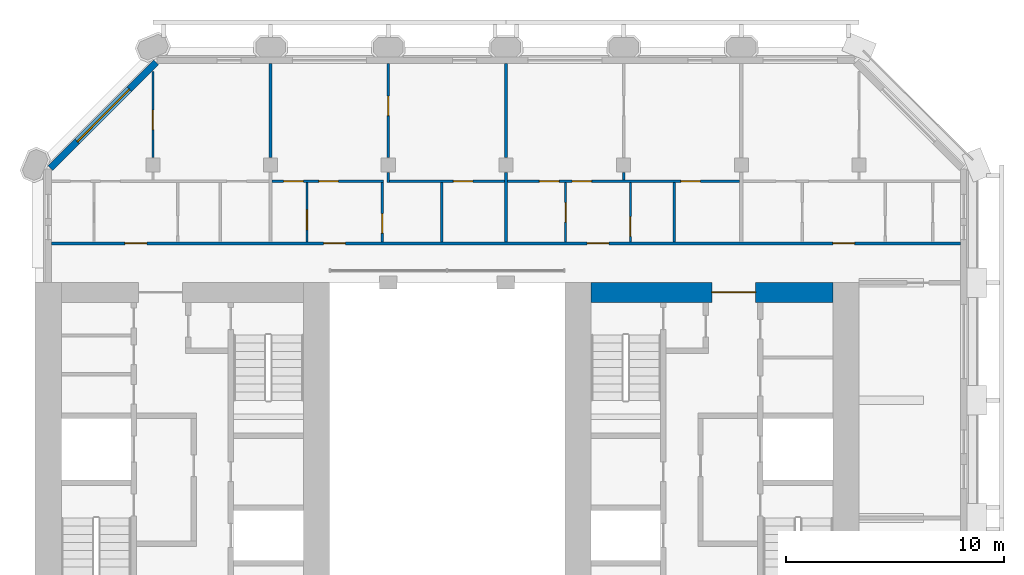
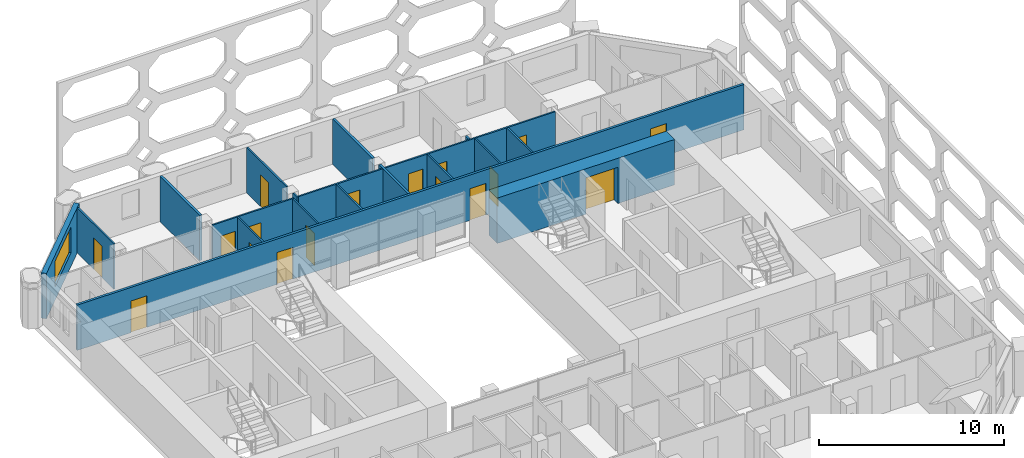
# One storey, part 10 of 15: 19 walls, 17 doors, 1 window, 18 openings.
"""IFC4 building model written with IfcOpenShell, lengths in metres."""

from ifc_helpers import new_model, si_unit, direction, frame, frame_2d, origin, place, context, subcontext, project, spatial, rectangle, extrude, material, layer, layer_set, type_object, element, fill, save


model = new_model("IFC4")

# Units and contexts
model_context = context("Model", 3, precision=1e-05, world=origin(), true_north=direction((0.0, 1.0)))
body_context = subcontext(model_context, "Body", "Model", "MODEL_VIEW")
ifc_project = project(units=[si_unit("LENGTHUNIT", "METRE"), si_unit("AREAUNIT", "SQUARE_METRE"), si_unit("VOLUMEUNIT", "CUBIC_METRE"), si_unit("PLANEANGLEUNIT", "RADIAN"), si_unit("MASSUNIT", "GRAM", prefix="KILO")], contexts=[model_context])

# Site, building, storey
site_placement = place(None, origin())
site = spatial("IfcSite", under=ifc_project, at=site_placement, CompositionType="ELEMENT")
building_placement = place(site_placement, origin())
building = spatial("IfcBuilding", under=site, at=building_placement, Name="Tabaq Tower and Sports Hall", CompositionType="ELEMENT")
storey_placement = place(building_placement, frame((0.0, 0.0, 278.5)))
storey = spatial("IfcBuildingStorey", under=building, at=storey_placement, Name="L68", CompositionType="ELEMENT", Elevation=278.5)

# Wall, opening, door
ifc_material_1 = material(Name="Concrete C40/50", Category="concrete")
ifc_layer_1 = layer(ifc_material_1, 0.89990234375)
ifc_layer_set_1 = layer_set([ifc_layer_1], Name="Core wall 900 Concrete C40/50")
wall_type_1 = type_object("IfcWallType", Name="Core wall 900 Concrete C40/50", PredefinedType="SOLIDWALL", material=ifc_layer_set_1)
wall_1_placement = place(storey_placement, frame((30.89990234375, 31.949951171875, 0.0), z_axis=(0.0, 0.0, 1.0), x_axis=(1.0, 0.0, 0.0)))
wall_1 = element("IfcWall", 1, at=wall_1_placement, inside=storey, type_object=wall_type_1, Name="Core wall E L68", PredefinedType="SOLIDWALL", context=body_context, shape_type="SweptSolid", body=[
    extrude(rectangle(XDim=11.10009765625, YDim=0.89990234375, at=frame_2d((5.550048828125, 0.0))), origin(), (0.0, 0.0, 1.0), 3.0),
])
opening_1_placement = place(wall_1_placement, frame((5.550048828125, 0.0, 0.0)))
opening_1 = element("IfcOpeningElement", 2, at=opening_1_placement, cuts=wall_1, Name="Opening PD-EL68-02", PredefinedType="OPENING", context=body_context, shape_type="SweptSolid", body=[
    extrude(rectangle(XDim=2.0, YDim=2.39990234375, at=frame_2d((1.0, 1.199951171875))), frame((0.0, 0.449951171875, 0.0), z_axis=(0.0, -1.0, 0.0), x_axis=(1.0, 0.0, 0.0)), (0.0, 0.0, 1.0), 0.89990234375),
])
ifc_material_2 = material(Name="Steel fire door", Category="steel")
door_type_1 = type_object("IfcDoorType", Name="Core entrance door 2000", OperationType="DOUBLE_DOOR_SINGLE_SWING", PredefinedType="DOOR", material=ifc_material_2)
door_1_placement = place(opening_1_placement, origin())
door_1 = element("IfcDoor", 3, at=door_1_placement, inside=storey, type_object=door_type_1, Name="Core entrance north E L68", OperationType="DOUBLE_DOOR_SINGLE_SWING", OverallHeight=2.39990234375, OverallWidth=2.0, PredefinedType="DOOR", context=body_context, shape_type="SweptSolid", body=[
    extrude(rectangle(XDim=2.0, YDim=2.39990234375, at=frame_2d((1.0, 1.199951171875))), frame((0.0, 0.02490234375, 0.0), z_axis=(0.0, -1.0, 0.0), x_axis=(1.0, 0.0, 0.0)), (0.0, 0.0, 1.0), 0.050048828125),
])
fill(opening_1, door_1)

ifc_material_3 = material(Name="Gypsum board on steel studs", Category="steel")
ifc_layer_2 = layer(ifc_material_3, 0.10009765625)
ifc_layer_set_2 = layer_set([ifc_layer_2], Name="Partition 100 Gypsum board")
wall_type_2 = type_object("IfcWallType", Name="Partition 100 Gypsum board", PredefinedType="PARTITIONING", material=ifc_layer_set_2)
wall_2_placement = place(storey_placement, frame((10.800048828125, 38.14501953125, 0.0), z_axis=(0.0, 0.0, 1.0), x_axis=(0.0, 1.0, 0.0)))
wall_2 = element("IfcWall", 4, at=wall_2_placement, inside=storey, type_object=wall_type_2, Name="Partition wall L68", PredefinedType="PARTITIONING", context=body_context, shape_type="SweptSolid", body=[
    extrude(rectangle(XDim=3.94287109375, YDim=0.10009765625, at=frame_2d((1.971435546875, 0.0))), origin(), (0.0, 0.0, 1.0), 3.0),
])
opening_2_placement = place(wall_2_placement, frame((1.273681640625, 0.0, 0.0)))
opening_2 = element("IfcOpeningElement", 5, at=opening_2_placement, cuts=wall_2, Name="Opening L68-024", PredefinedType="OPENING", context=body_context, shape_type="SweptSolid", body=[
    extrude(rectangle(XDim=0.89990234375, YDim=2.10009765625, at=frame_2d((0.449951171875, 1.050048828125))), frame((0.0, 0.050048828125, 0.0), z_axis=(0.0, -1.0, 0.0), x_axis=(1.0, 0.0, 0.0)), (0.0, 0.0, 1.0), 0.10009765625),
])
ifc_material_4 = material(Name="Timber leaf in steel frame", Category="steel")
door_type_2 = type_object("IfcDoorType", Name="Internal door 900 right hand", OperationType="SINGLE_SWING_RIGHT", PredefinedType="DOOR", material=ifc_material_4)
door_2_placement = place(opening_2_placement, origin())
door_2 = element("IfcDoor", 6, at=door_2_placement, inside=storey, type_object=door_type_2, Name="Internal door L68-024", OperationType="SINGLE_SWING_RIGHT", OverallHeight=2.10009765625, OverallWidth=0.89990234375, PredefinedType="DOOR", context=body_context, shape_type="SweptSolid", body=[
    extrude(rectangle(XDim=0.89990234375, YDim=2.10009765625, at=frame_2d((0.449951171875, 1.050048828125))), frame((0.0, 0.02490234375, 0.0), z_axis=(0.0, -1.0, 0.0), x_axis=(1.0, 0.0, 0.0)), (0.0, 0.0, 1.0), 0.050048828125),
])
fill(opening_2, door_2)

# Wall, openings, doors
wall_3_placement = place(storey_placement, frame((16.27490234375, 37.050048828125, 0.0), z_axis=(0.0, 0.0, 1.0), x_axis=(1.0, 0.0, 0.0)))
wall_3 = element("IfcWall", 7, at=wall_3_placement, inside=storey, type_object=wall_type_2, Name="Partition wall L68", PredefinedType="PARTITIONING", context=body_context, shape_type="SweptSolid", body=[
    extrude(rectangle(XDim=5.09716796875, YDim=0.10009765625, at=frame_2d((2.548583984375, 0.0))), origin(), (0.0, 0.0, 1.0), 3.0),
])
opening_3_placement = place(wall_3_placement, frame((0.52587890625, 0.0, 0.0)))
opening_3 = element("IfcOpeningElement", 8, at=opening_3_placement, cuts=wall_3, Name="Opening L68-028", PredefinedType="OPENING", context=body_context, shape_type="SweptSolid", body=[
    extrude(rectangle(XDim=0.89990234375, YDim=2.10009765625, at=frame_2d((0.449951171875, 1.050048828125))), frame((0.0, 0.050048828125, 0.0), z_axis=(0.0, -1.0, 0.0), x_axis=(1.0, 0.0, 0.0)), (0.0, 0.0, 1.0), 0.10009765625),
])
opening_4_placement = place(wall_3_placement, frame((2.139892578125, 0.0, 0.0)))
opening_4 = element("IfcOpeningElement", 9, at=opening_4_placement, cuts=wall_3, Name="Opening L68-051", PredefinedType="OPENING", context=body_context, shape_type="SweptSolid", body=[
    extrude(rectangle(XDim=0.89990234375, YDim=2.10009765625, at=frame_2d((0.449951171875, 1.050048828125))), frame((0.0, 0.050048828125, 0.0), z_axis=(0.0, -1.0, 0.0), x_axis=(1.0, 0.0, 0.0)), (0.0, 0.0, 1.0), 0.10009765625),
])
ifc_material_5 = material(Name="Timber leaf in steel frame", Category="steel")
door_type_3 = type_object("IfcDoorType", Name="Internal door 900 left hand", OperationType="SINGLE_SWING_LEFT", PredefinedType="DOOR", material=ifc_material_5)
door_3_placement = place(opening_4_placement, origin())
door_3 = element("IfcDoor", 10, at=door_3_placement, inside=storey, type_object=door_type_3, Name="Internal door L68-051", OperationType="SINGLE_SWING_LEFT", OverallHeight=2.10009765625, OverallWidth=0.89990234375, PredefinedType="DOOR", context=body_context, shape_type="SweptSolid", body=[
    extrude(rectangle(XDim=0.89990234375, YDim=2.10009765625, at=frame_2d((0.449951171875, 1.050048828125))), frame((0.0, 0.02490234375, 0.0), z_axis=(0.0, -1.0, 0.0), x_axis=(1.0, 0.0, 0.0)), (0.0, 0.0, 1.0), 0.050048828125),
])
fill(opening_4, door_3)
door_4_placement = place(opening_3_placement, origin())
door_4 = element("IfcDoor", 11, at=door_4_placement, inside=storey, type_object=door_type_2, Name="Internal door L68-028", OperationType="SINGLE_SWING_RIGHT", OverallHeight=2.10009765625, OverallWidth=0.89990234375, PredefinedType="DOOR", context=body_context, shape_type="SweptSolid", body=[
    extrude(rectangle(XDim=0.89990234375, YDim=2.10009765625, at=frame_2d((0.449951171875, 1.050048828125))), frame((0.0, 0.02490234375, 0.0), z_axis=(0.0, -1.0, 0.0), x_axis=(1.0, 0.0, 0.0)), (0.0, 0.0, 1.0), 0.050048828125),
])
fill(opening_3, door_4)

# Wall
wall_4_placement = place(storey_placement, frame((21.60009765625, 37.0, 0.0), z_axis=(0.0, 0.0, 1.0), x_axis=(0.0, 1.0, 0.0)))
element("IfcWall", 12, at=wall_4_placement, inside=storey, type_object=wall_type_2, Name="Partition wall L68", PredefinedType="PARTITIONING", context=body_context, shape_type="SweptSolid", body=[
    extrude(rectangle(XDim=0.455078125, YDim=0.10009765625, at=frame_2d((0.2275390625, 0.0))), origin(), (0.0, 0.0, 1.0), 3.0),
])

# Wall, opening, door
wall_5_placement = place(storey_placement, frame((21.60009765625, 38.14501953125, 0.0), z_axis=(0.0, 0.0, 1.0), x_axis=(0.0, 1.0, 0.0)))
wall_5 = element("IfcWall", 13, at=wall_5_placement, inside=storey, type_object=wall_type_2, Name="Partition wall L68", PredefinedType="PARTITIONING", context=body_context, shape_type="SweptSolid", body=[
    extrude(rectangle(XDim=4.303955078125, YDim=0.10009765625, at=frame_2d((2.15185546875, 0.0))), origin(), (0.0, 0.0, 1.0), 3.0),
])
opening_5_placement = place(wall_5_placement, frame((1.91796875, 0.0, 0.0)))
opening_5 = element("IfcOpeningElement", 14, at=opening_5_placement, cuts=wall_5, Name="Opening L68-027", PredefinedType="OPENING", context=body_context, shape_type="SweptSolid", body=[
    extrude(rectangle(XDim=0.89990234375, YDim=2.10009765625, at=frame_2d((0.449951171875, 1.050048828125))), frame((0.0, 0.050048828125, 0.0), z_axis=(0.0, -1.0, 0.0), x_axis=(1.0, 0.0, 0.0)), (0.0, 0.0, 1.0), 0.10009765625),
])
door_5_placement = place(opening_5_placement, origin())
door_5 = element("IfcDoor", 15, at=door_5_placement, inside=storey, type_object=door_type_2, Name="Internal door L68-027", OperationType="SINGLE_SWING_RIGHT", OverallHeight=2.10009765625, OverallWidth=0.89990234375, PredefinedType="DOOR", context=body_context, shape_type="SweptSolid", body=[
    extrude(rectangle(XDim=0.89990234375, YDim=2.10009765625, at=frame_2d((0.449951171875, 1.050048828125))), frame((0.0, 0.02490234375, 0.0), z_axis=(0.0, -1.0, 0.0), x_axis=(1.0, 0.0, 0.0)), (0.0, 0.0, 1.0), 0.050048828125),
])
fill(opening_5, door_5)

wall_6_placement = place(storey_placement, frame((21.64990234375, 37.050048828125, 0.0), z_axis=(0.0, 0.0, 1.0), x_axis=(1.0, 0.0, 0.0)))
wall_6 = element("IfcWall", 16, at=wall_6_placement, inside=storey, type_object=wall_type_2, Name="Partition wall L68", PredefinedType="PARTITIONING", context=body_context, shape_type="SweptSolid", body=[
    extrude(rectangle(XDim=5.275146484375, YDim=0.10009765625, at=frame_2d((2.6376953125, 0.0))), origin(), (0.0, 0.0, 1.0), 3.0),
])
opening_6_placement = place(wall_6_placement, frame((2.933349609375, 0.0, 0.0)))
opening_6 = element("IfcOpeningElement", 17, at=opening_6_placement, cuts=wall_6, Name="Opening L68-003", PredefinedType="OPENING", context=body_context, shape_type="SweptSolid", body=[
    extrude(rectangle(XDim=0.89990234375, YDim=2.10009765625, at=frame_2d((0.449951171875, 1.050048828125))), frame((0.0, 0.050048828125, 0.0), z_axis=(0.0, -1.0, 0.0), x_axis=(1.0, 0.0, 0.0)), (0.0, 0.0, 1.0), 0.10009765625),
])
door_6_placement = place(opening_6_placement, origin())
door_6 = element("IfcDoor", 18, at=door_6_placement, inside=storey, type_object=door_type_3, Name="Internal door L68-003", OperationType="SINGLE_SWING_LEFT", OverallHeight=2.10009765625, OverallWidth=0.89990234375, PredefinedType="DOOR", context=body_context, shape_type="SweptSolid", body=[
    extrude(rectangle(XDim=0.89990234375, YDim=2.10009765625, at=frame_2d((0.449951171875, 1.050048828125))), frame((0.0, 0.02490234375, 0.0), z_axis=(0.0, -1.0, 0.0), x_axis=(1.0, 0.0, 0.0)), (0.0, 0.0, 1.0), 0.050048828125),
])
fill(opening_6, door_6)

wall_7_placement = place(storey_placement, frame((17.87109375, 34.27490234375, 0.0), z_axis=(0.0, 0.0, 1.0), x_axis=(0.0, 1.0, 0.0)))
wall_7 = element("IfcWall", 19, at=wall_7_placement, inside=storey, type_object=wall_type_2, Name="Partition wall L68", PredefinedType="PARTITIONING", context=body_context, shape_type="SweptSolid", body=[
    extrude(rectangle(XDim=2.72509765625, YDim=0.10009765625, at=frame_2d((1.362548828125, 0.0))), origin(), (0.0, 0.0, 1.0), 3.0),
])
opening_7_placement = place(wall_7_placement, frame((0.56298828125, 0.0, 0.0)))
opening_7 = element("IfcOpeningElement", 20, at=opening_7_placement, cuts=wall_7, Name="Opening L68-029", PredefinedType="OPENING", context=body_context, shape_type="SweptSolid", body=[
    extrude(rectangle(XDim=0.89990234375, YDim=2.10009765625, at=frame_2d((0.449951171875, 1.050048828125))), frame((0.0, 0.050048828125, 0.0), z_axis=(0.0, -1.0, 0.0), x_axis=(1.0, 0.0, 0.0)), (0.0, 0.0, 1.0), 0.10009765625),
])
door_7_placement = place(opening_7_placement, origin())
door_7 = element("IfcDoor", 21, at=door_7_placement, inside=storey, type_object=door_type_2, Name="Internal door L68-029", OperationType="SINGLE_SWING_RIGHT", OverallHeight=2.10009765625, OverallWidth=0.89990234375, PredefinedType="DOOR", context=body_context, shape_type="SweptSolid", body=[
    extrude(rectangle(XDim=0.89990234375, YDim=2.10009765625, at=frame_2d((0.449951171875, 1.050048828125))), frame((0.0, 0.02490234375, 0.0), z_axis=(0.0, -1.0, 0.0), x_axis=(1.0, 0.0, 0.0)), (0.0, 0.0, 1.0), 0.050048828125),
])
fill(opening_7, door_7)

wall_8_placement = place(storey_placement, frame((21.322021484375, 34.27490234375, 0.0), z_axis=(0.0, 0.0, 1.0), x_axis=(0.0, 1.0, 0.0)))
wall_8 = element("IfcWall", 22, at=wall_8_placement, inside=storey, type_object=wall_type_2, Name="Partition wall L68", PredefinedType="PARTITIONING", context=body_context, shape_type="SweptSolid", body=[
    extrude(rectangle(XDim=2.72509765625, YDim=0.10009765625, at=frame_2d((1.362548828125, 0.0))), origin(), (0.0, 0.0, 1.0), 3.0),
])
opening_8_placement = place(wall_8_placement, frame((0.39404296875, 0.0, 0.0)))
opening_8 = element("IfcOpeningElement", 23, at=opening_8_placement, cuts=wall_8, Name="Opening L68-004", PredefinedType="OPENING", context=body_context, shape_type="SweptSolid", body=[
    extrude(rectangle(XDim=0.89990234375, YDim=2.10009765625, at=frame_2d((0.449951171875, 1.050048828125))), frame((0.0, 0.050048828125, 0.0), z_axis=(0.0, -1.0, 0.0), x_axis=(1.0, 0.0, 0.0)), (0.0, 0.0, 1.0), 0.10009765625),
])
door_8_placement = place(opening_8_placement, origin())
door_8 = element("IfcDoor", 24, at=door_8_placement, inside=storey, type_object=door_type_2, Name="Internal door L68-004", OperationType="SINGLE_SWING_RIGHT", OverallHeight=2.10009765625, OverallWidth=0.89990234375, PredefinedType="DOOR", context=body_context, shape_type="SweptSolid", body=[
    extrude(rectangle(XDim=0.89990234375, YDim=2.10009765625, at=frame_2d((0.449951171875, 1.050048828125))), frame((0.0, 0.02490234375, 0.0), z_axis=(0.0, -1.0, 0.0), x_axis=(1.0, 0.0, 0.0)), (0.0, 0.0, 1.0), 0.050048828125),
])
fill(opening_8, door_8)

# Walls
wall_9_placement = place(storey_placement, frame((24.050048828125, 34.27490234375, 0.0), z_axis=(0.0, 0.0, 1.0), x_axis=(0.0, 1.0, 0.0)))
element("IfcWall", 25, at=wall_9_placement, inside=storey, type_object=wall_type_2, Name="Partition wall L68", PredefinedType="PARTITIONING", context=body_context, shape_type="SweptSolid", body=[
    extrude(rectangle(XDim=2.72509765625, YDim=0.10009765625, at=frame_2d((1.362548828125, 0.0))), origin(), (0.0, 0.0, 1.0), 3.0),
])
wall_10_placement = place(storey_placement, frame((32.39990234375, 37.10009765625, 0.0), z_axis=(0.0, 0.0, 1.0), x_axis=(0.0, 1.0, 0.0)))
element("IfcWall", 26, at=wall_10_placement, inside=storey, type_object=wall_type_2, Name="Partition wall L68", PredefinedType="PARTITIONING", context=body_context, shape_type="SweptSolid", body=[
    extrude(rectangle(XDim=0.35498046875, YDim=0.10009765625, at=frame_2d((0.177490234375, 0.0))), origin(), (0.0, 0.0, 1.0), 3.0),
])

# Wall, openings, doors
wall_11_placement = place(storey_placement, frame((27.074951171875, 37.050048828125, 0.0), z_axis=(0.0, 0.0, 1.0), x_axis=(1.0, 0.0, 0.0)))
wall_11 = element("IfcWall", 27, at=wall_11_placement, inside=storey, type_object=wall_type_2, Name="Partition wall L68", PredefinedType="PARTITIONING", context=body_context, shape_type="SweptSolid", body=[
    extrude(rectangle(XDim=10.650146484375, YDim=0.10009765625, at=frame_2d((5.3251953125, 0.0))), origin(), (0.0, 0.0, 1.0), 3.0),
])
opening_9_placement = place(wall_11_placement, frame((7.946044921875, 0.0, 0.0)))
opening_9 = element("IfcOpeningElement", 28, at=opening_9_placement, cuts=wall_11, Name="Opening L68-005", PredefinedType="OPENING", context=body_context, shape_type="SweptSolid", body=[
    extrude(rectangle(XDim=0.89990234375, YDim=2.10009765625, at=frame_2d((0.449951171875, 1.050048828125))), frame((0.0, 0.050048828125, 0.0), z_axis=(0.0, -1.0, 0.0), x_axis=(1.0, 0.0, 0.0)), (0.0, 0.0, 1.0), 0.10009765625),
])
opening_10_placement = place(wall_11_placement, frame((1.4599609375, 0.0, 0.0)))
opening_10 = element("IfcOpeningElement", 29, at=opening_10_placement, cuts=wall_11, Name="Opening L68-031", PredefinedType="OPENING", context=body_context, shape_type="SweptSolid", body=[
    extrude(rectangle(XDim=0.89990234375, YDim=2.10009765625, at=frame_2d((0.449951171875, 1.050048828125))), frame((0.0, 0.050048828125, 0.0), z_axis=(0.0, -1.0, 0.0), x_axis=(1.0, 0.0, 0.0)), (0.0, 0.0, 1.0), 0.10009765625),
])
opening_11_placement = place(wall_11_placement, frame((2.9599609375, 0.0, 0.0)))
opening_11 = element("IfcOpeningElement", 30, at=opening_11_placement, cuts=wall_11, Name="Opening L68-052", PredefinedType="OPENING", context=body_context, shape_type="SweptSolid", body=[
    extrude(rectangle(XDim=0.89990234375, YDim=2.10009765625, at=frame_2d((0.449951171875, 1.050048828125))), frame((0.0, 0.050048828125, 0.0), z_axis=(0.0, -1.0, 0.0), x_axis=(1.0, 0.0, 0.0)), (0.0, 0.0, 1.0), 0.10009765625),
])
door_9_placement = place(opening_9_placement, origin())
door_9 = element("IfcDoor", 31, at=door_9_placement, inside=storey, type_object=door_type_3, Name="Internal door L68-005", OperationType="SINGLE_SWING_LEFT", OverallHeight=2.10009765625, OverallWidth=0.89990234375, PredefinedType="DOOR", context=body_context, shape_type="SweptSolid", body=[
    extrude(rectangle(XDim=0.89990234375, YDim=2.10009765625, at=frame_2d((0.449951171875, 1.050048828125))), frame((0.0, 0.02490234375, 0.0), z_axis=(0.0, -1.0, 0.0), x_axis=(1.0, 0.0, 0.0)), (0.0, 0.0, 1.0), 0.050048828125),
])
fill(opening_9, door_9)
door_10_placement = place(opening_11_placement, origin())
door_10 = element("IfcDoor", 32, at=door_10_placement, inside=storey, type_object=door_type_3, Name="Internal door L68-052", OperationType="SINGLE_SWING_LEFT", OverallHeight=2.10009765625, OverallWidth=0.89990234375, PredefinedType="DOOR", context=body_context, shape_type="SweptSolid", body=[
    extrude(rectangle(XDim=0.89990234375, YDim=2.10009765625, at=frame_2d((0.449951171875, 1.050048828125))), frame((0.0, 0.02490234375, 0.0), z_axis=(0.0, -1.0, 0.0), x_axis=(1.0, 0.0, 0.0)), (0.0, 0.0, 1.0), 0.050048828125),
])
fill(opening_11, door_10)
door_11_placement = place(opening_10_placement, origin())
door_11 = element("IfcDoor", 33, at=door_11_placement, inside=storey, type_object=door_type_2, Name="Internal door L68-031", OperationType="SINGLE_SWING_RIGHT", OverallHeight=2.10009765625, OverallWidth=0.89990234375, PredefinedType="DOOR", context=body_context, shape_type="SweptSolid", body=[
    extrude(rectangle(XDim=0.89990234375, YDim=2.10009765625, at=frame_2d((0.449951171875, 1.050048828125))), frame((0.0, 0.02490234375, 0.0), z_axis=(0.0, -1.0, 0.0), x_axis=(1.0, 0.0, 0.0)), (0.0, 0.0, 1.0), 0.050048828125),
])
fill(opening_10, door_11)

# Wall, opening, door
wall_12_placement = place(storey_placement, frame((29.735107421875, 34.27490234375, 0.0), z_axis=(0.0, 0.0, 1.0), x_axis=(0.0, 1.0, 0.0)))
wall_12 = element("IfcWall", 34, at=wall_12_placement, inside=storey, type_object=wall_type_2, Name="Partition wall L68", PredefinedType="PARTITIONING", context=body_context, shape_type="SweptSolid", body=[
    extrude(rectangle(XDim=2.72509765625, YDim=0.10009765625, at=frame_2d((1.362548828125, 0.0))), origin(), (0.0, 0.0, 1.0), 3.0),
])
opening_12_placement = place(wall_12_placement, frame((0.89990234375, 0.0, 0.0)))
opening_12 = element("IfcOpeningElement", 35, at=opening_12_placement, cuts=wall_12, Name="Opening L68-032", PredefinedType="OPENING", context=body_context, shape_type="SweptSolid", body=[
    extrude(rectangle(XDim=0.89990234375, YDim=2.10009765625, at=frame_2d((0.449951171875, 1.050048828125))), frame((0.0, 0.050048828125, 0.0), z_axis=(0.0, -1.0, 0.0), x_axis=(1.0, 0.0, 0.0)), (0.0, 0.0, 1.0), 0.10009765625),
])
door_12_placement = place(opening_12_placement, origin())
door_12 = element("IfcDoor", 36, at=door_12_placement, inside=storey, type_object=door_type_3, Name="Internal door L68-032", OperationType="SINGLE_SWING_LEFT", OverallHeight=2.10009765625, OverallWidth=0.89990234375, PredefinedType="DOOR", context=body_context, shape_type="SweptSolid", body=[
    extrude(rectangle(XDim=0.89990234375, YDim=2.10009765625, at=frame_2d((0.449951171875, 1.050048828125))), frame((0.0, 0.02490234375, 0.0), z_axis=(0.0, -1.0, 0.0), x_axis=(1.0, 0.0, 0.0)), (0.0, 0.0, 1.0), 0.050048828125),
])
fill(opening_12, door_12)

wall_13_placement = place(storey_placement, frame((32.7099609375, 34.27490234375, 0.0), z_axis=(0.0, 0.0, 1.0), x_axis=(0.0, 1.0, 0.0)))
wall_13 = element("IfcWall", 37, at=wall_13_placement, inside=storey, type_object=wall_type_2, Name="Partition wall L68", PredefinedType="PARTITIONING", context=body_context, shape_type="SweptSolid", body=[
    extrude(rectangle(XDim=2.72509765625, YDim=0.10009765625, at=frame_2d((1.362548828125, 0.0))), origin(), (0.0, 0.0, 1.0), 3.0),
])
opening_13_placement = place(wall_13_placement, frame((0.25, 0.0, 0.0)))
opening_13 = element("IfcOpeningElement", 38, at=opening_13_placement, cuts=wall_13, Name="Opening L68-006", PredefinedType="OPENING", context=body_context, shape_type="SweptSolid", body=[
    extrude(rectangle(XDim=0.89990234375, YDim=2.10009765625, at=frame_2d((0.449951171875, 1.050048828125))), frame((0.0, 0.050048828125, 0.0), z_axis=(0.0, -1.0, 0.0), x_axis=(1.0, 0.0, 0.0)), (0.0, 0.0, 1.0), 0.10009765625),
])
door_13_placement = place(opening_13_placement, origin())
door_13 = element("IfcDoor", 39, at=door_13_placement, inside=storey, type_object=door_type_3, Name="Internal door L68-006", OperationType="SINGLE_SWING_LEFT", OverallHeight=2.10009765625, OverallWidth=0.89990234375, PredefinedType="DOOR", context=body_context, shape_type="SweptSolid", body=[
    extrude(rectangle(XDim=0.89990234375, YDim=2.10009765625, at=frame_2d((0.449951171875, 1.050048828125))), frame((0.0, 0.02490234375, 0.0), z_axis=(0.0, -1.0, 0.0), x_axis=(1.0, 0.0, 0.0)), (0.0, 0.0, 1.0), 0.050048828125),
])
fill(opening_13, door_13)

# Walls
wall_14_placement = place(storey_placement, frame((34.720947265625, 34.27490234375, 0.0), z_axis=(0.0, 0.0, 1.0), x_axis=(0.0, 1.0, 0.0)))
element("IfcWall", 40, at=wall_14_placement, inside=storey, type_object=wall_type_2, Name="Partition wall L68", PredefinedType="PARTITIONING", context=body_context, shape_type="SweptSolid", body=[
    extrude(rectangle(XDim=2.72509765625, YDim=0.10009765625, at=frame_2d((1.362548828125, 0.0))), origin(), (0.0, 0.0, 1.0), 3.0),
])
ifc_material_6 = material(Name="Blockwork", Category="masonry")
ifc_layer_3 = layer(ifc_material_6, 0.14990234375)
ifc_layer_set_3 = layer_set([ifc_layer_3], Name="Separating wall 150 Blockwork")
wall_type_3 = type_object("IfcWallType", Name="Separating wall 150 Blockwork", PredefinedType="PARTITIONING", material=ifc_layer_set_3)
for number, where, z_axis, x_axis, name in (
    (41, (16.199951171875, 38.14501953125, 0.0), (0.0, 0.0, 1.0), (0.0, 1.0, 0.0), "Separating wall L68"),
    (42, (27.0, 38.14501953125, 0.0), (0.0, 0.0, 1.0), (0.0, 1.0, 0.0), "Separating wall L68"),
):
    element("IfcWall", number, at=place(storey_placement, frame(where, z_axis=z_axis, x_axis=x_axis)), inside=storey, type_object=wall_type_3, Name=name, PredefinedType="PARTITIONING", context=body_context, shape_type="SweptSolid", body=[
        extrude(rectangle(XDim=4.303955078125, YDim=0.14990234375, at=frame_2d((2.15185546875, 0.0))), origin(), (0.0, 0.0, 1.0), 3.0),
    ])
wall_15_placement = place(storey_placement, frame((27.0, 34.27490234375, 0.0), z_axis=(0.0, 0.0, 1.0), x_axis=(0.0, 1.0, 0.0)))
element("IfcWall", 43, at=wall_15_placement, inside=storey, type_object=wall_type_3, Name="Separating wall L68", PredefinedType="PARTITIONING", context=body_context, shape_type="SweptSolid", body=[
    extrude(rectangle(XDim=3.18017578125, YDim=0.14990234375, at=frame_2d((1.590087890625, 0.0))), origin(), (0.0, 0.0, 1.0), 3.0),
])

# Wall, openings, doors
wall_16_placement = place(storey_placement, frame((6.15087890625, 34.199951171875, 0.0), z_axis=(0.0, 0.0, 1.0), x_axis=(1.0, 0.0, 0.0)))
wall_16 = element("IfcWall", 44, at=wall_16_placement, inside=storey, type_object=wall_type_3, Name="Separating wall L68", PredefinedType="PARTITIONING", context=body_context, shape_type="SweptSolid", body=[
    extrude(rectangle(XDim=41.6982421875, YDim=0.14990234375, at=frame_2d((20.84912109375, 0.0))), origin(), (0.0, 0.0, 1.0), 3.0),
])
opening_14_placement = place(wall_16_placement, frame((3.368896484375, 0.0, 0.0)))
opening_14 = element("IfcOpeningElement", 45, at=opening_14_placement, cuts=wall_16, Name="Opening L68-057", PredefinedType="OPENING", context=body_context, shape_type="SweptSolid", body=[
    extrude(rectangle(XDim=1.0, YDim=2.10009765625, at=frame_2d((0.5, 1.050048828125))), frame((0.0, 0.074951171875, 0.0), z_axis=(0.0, -1.0, 0.0), x_axis=(1.0, 0.0, 0.0)), (0.0, 0.0, 1.0), 0.14990234375),
])
opening_15_placement = place(wall_16_placement, frame((12.48291015625, 0.0, 0.0)))
opening_15 = element("IfcOpeningElement", 46, at=opening_15_placement, cuts=wall_16, Name="Opening L68-058", PredefinedType="OPENING", context=body_context, shape_type="SweptSolid", body=[
    extrude(rectangle(XDim=1.0, YDim=2.10009765625, at=frame_2d((0.5, 1.050048828125))), frame((0.0, 0.074951171875, 0.0), z_axis=(0.0, -1.0, 0.0), x_axis=(1.0, 0.0, 0.0)), (0.0, 0.0, 1.0), 0.14990234375),
])
opening_16_placement = place(wall_16_placement, frame((24.572021484375, 0.0, 0.0)))
opening_16 = element("IfcOpeningElement", 47, at=opening_16_placement, cuts=wall_16, Name="Opening L68-059", PredefinedType="OPENING", context=body_context, shape_type="SweptSolid", body=[
    extrude(rectangle(XDim=1.0, YDim=2.10009765625, at=frame_2d((0.5, 1.050048828125))), frame((0.0, 0.074951171875, 0.0), z_axis=(0.0, -1.0, 0.0), x_axis=(1.0, 0.0, 0.0)), (0.0, 0.0, 1.0), 0.14990234375),
])
opening_17_placement = place(wall_16_placement, frame((35.84912109375, 0.0, 0.0)))
opening_17 = element("IfcOpeningElement", 48, at=opening_17_placement, cuts=wall_16, Name="Opening L68-060", PredefinedType="OPENING", context=body_context, shape_type="SweptSolid", body=[
    extrude(rectangle(XDim=1.0, YDim=2.10009765625, at=frame_2d((0.5, 1.050048828125))), frame((0.0, 0.074951171875, 0.0), z_axis=(0.0, -1.0, 0.0), x_axis=(1.0, 0.0, 0.0)), (0.0, 0.0, 1.0), 0.14990234375),
])
ifc_material_7 = material(Name="Steel fire door", Category="steel")
door_type_4 = type_object("IfcDoorType", Name="Entrance door 1000 left hand", OperationType="SINGLE_SWING_LEFT", PredefinedType="DOOR", material=ifc_material_7)
door_14_placement = place(opening_16_placement, origin())
door_14 = element("IfcDoor", 49, at=door_14_placement, inside=storey, type_object=door_type_4, Name="Entrance door L68-059", OperationType="SINGLE_SWING_LEFT", OverallHeight=2.10009765625, OverallWidth=1.0, PredefinedType="DOOR", context=body_context, shape_type="SweptSolid", body=[
    extrude(rectangle(XDim=1.0, YDim=2.10009765625, at=frame_2d((0.5, 1.050048828125))), frame((0.0, 0.02490234375, 0.0), z_axis=(0.0, -1.0, 0.0), x_axis=(1.0, 0.0, 0.0)), (0.0, 0.0, 1.0), 0.050048828125),
])
fill(opening_16, door_14)
door_15_placement = place(opening_17_placement, origin())
door_15 = element("IfcDoor", 50, at=door_15_placement, inside=storey, type_object=door_type_4, Name="Entrance door L68-060", OperationType="SINGLE_SWING_LEFT", OverallHeight=2.10009765625, OverallWidth=1.0, PredefinedType="DOOR", context=body_context, shape_type="SweptSolid", body=[
    extrude(rectangle(XDim=1.0, YDim=2.10009765625, at=frame_2d((0.5, 1.050048828125))), frame((0.0, 0.02490234375, 0.0), z_axis=(0.0, -1.0, 0.0), x_axis=(1.0, 0.0, 0.0)), (0.0, 0.0, 1.0), 0.050048828125),
])
fill(opening_17, door_15)
ifc_material_8 = material(Name="Steel fire door", Category="steel")
door_type_5 = type_object("IfcDoorType", Name="Entrance door 1000 right hand", OperationType="SINGLE_SWING_RIGHT", PredefinedType="DOOR", material=ifc_material_8)
door_16_placement = place(opening_14_placement, origin())
door_16 = element("IfcDoor", 51, at=door_16_placement, inside=storey, type_object=door_type_5, Name="Entrance door L68-057", OperationType="SINGLE_SWING_RIGHT", OverallHeight=2.10009765625, OverallWidth=1.0, PredefinedType="DOOR", context=body_context, shape_type="SweptSolid", body=[
    extrude(rectangle(XDim=1.0, YDim=2.10009765625, at=frame_2d((0.5, 1.050048828125))), frame((0.0, 0.02490234375, 0.0), z_axis=(0.0, -1.0, 0.0), x_axis=(1.0, 0.0, 0.0)), (0.0, 0.0, 1.0), 0.050048828125),
])
fill(opening_14, door_16)
door_17_placement = place(opening_15_placement, origin())
door_17 = element("IfcDoor", 52, at=door_17_placement, inside=storey, type_object=door_type_5, Name="Entrance door L68-058", OperationType="SINGLE_SWING_RIGHT", OverallHeight=2.10009765625, OverallWidth=1.0, PredefinedType="DOOR", context=body_context, shape_type="SweptSolid", body=[
    extrude(rectangle(XDim=1.0, YDim=2.10009765625, at=frame_2d((0.5, 1.050048828125))), frame((0.0, 0.02490234375, 0.0), z_axis=(0.0, -1.0, 0.0), x_axis=(1.0, 0.0, 0.0)), (0.0, 0.0, 1.0), 0.050048828125),
])
fill(opening_15, door_17)

# Wall, opening, window
ifc_material_9 = material(Name="White precast concrete C60/75", Category="concrete")
ifc_layer_4 = layer(ifc_material_9, 0.300048828125)
ifc_layer_set_4 = layer_set([ifc_layer_4], Name="White precast concrete C60/75 external wall 300")
wall_type_4 = type_object("IfcWallType", Name="White precast concrete C60/75 external wall 300", PredefinedType="SOLIDWALL", material=ifc_layer_set_4)
wall_17_placement = place(storey_placement, frame((10.949462890625, 42.5009765625, 0.0), z_axis=(0.0, 0.0, 1.0), x_axis=(-0.707106781187, -0.707106781187, 0.0)))
wall_17 = element("IfcWall", 53, at=wall_17_placement, inside=storey, type_object=wall_type_4, Name="External Wall L68 NW", PredefinedType="SOLIDWALL", context=body_context, shape_type="SweptSolid", body=[
    extrude(rectangle(XDim=6.85986328125, YDim=0.300048828125, at=frame_2d((3.429931640625, 0.0))), origin(), (0.0, 0.0, 1.0), 3.0),
])
opening_18_placement = place(wall_17_placement, frame((1.729736328125, 0.0, 0.89990234375)))
opening_18 = element("IfcOpeningElement", 54, at=opening_18_placement, cuts=wall_17, Name="Opening W1A", PredefinedType="OPENING", context=body_context, shape_type="SweptSolid", body=[
    extrude(rectangle(XDim=3.39990234375, YDim=1.699951171875, at=frame_2d((1.699951171875, 0.85009765625))), frame((0.0, 0.16015625, 0.0), z_axis=(0.0, -1.0, 0.0), x_axis=(1.0, 0.0, 0.0)), (0.0, 0.0, 1.0), 0.320068359375),
])
ifc_material_10 = material(Name="Aluminium framed clear glazing", Category="aluminium")
window_type = type_object("IfcWindowType", Name="Window W1A", PartitioningType="SINGLE_PANEL", PredefinedType="WINDOW", material=ifc_material_10)
window_placement = place(opening_18_placement, origin())
window = element("IfcWindow", 55, at=window_placement, inside=storey, type_object=window_type, Name="Window W1A L68", OverallHeight=1.699951171875, OverallWidth=3.39990234375, PartitioningType="SINGLE_PANEL", PredefinedType="WINDOW", context=body_context, shape_type="SweptSolid", body=[
    extrude(rectangle(XDim=3.39990234375, YDim=1.699951171875, at=frame_2d((1.699951171875, 0.85009765625))), frame((0.0, 0.030029296875, 0.0), z_axis=(0.0, -1.0, 0.0), x_axis=(1.0, 0.0, 0.0)), (0.0, 0.0, 1.0), 0.06005859375),
])
fill(opening_18, window)

save(model, "model.ifc")
